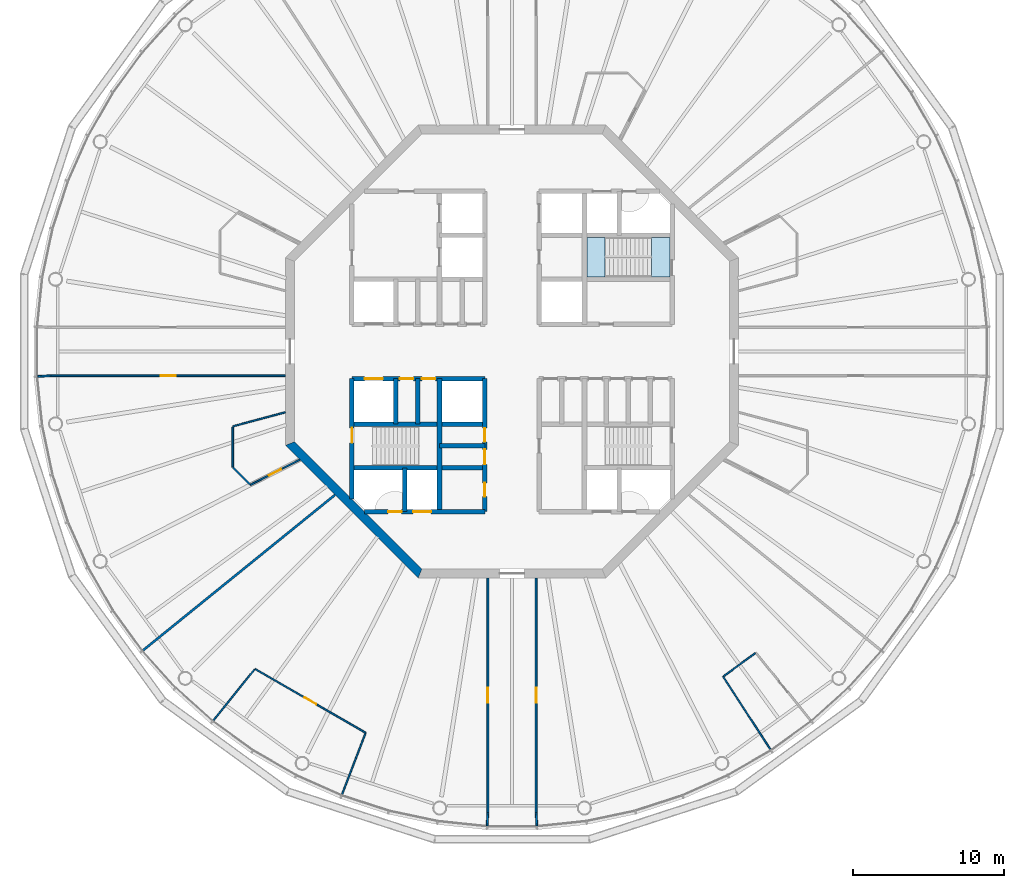
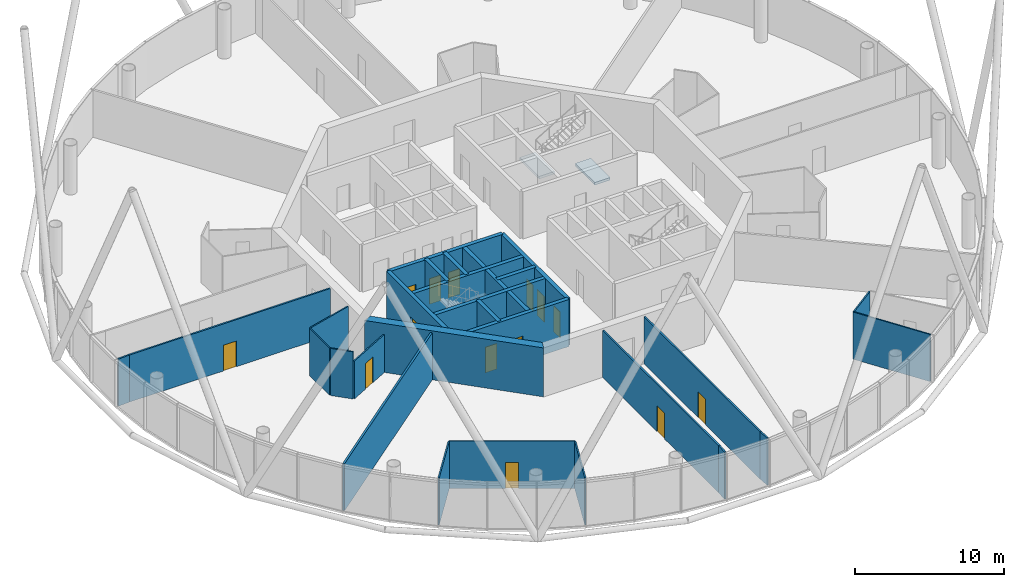
# One storey, part 3 of 13: 28 walls, 14 doors, 2 slabs, 14 openings, 1 element without a shape of its own.
"""IFC4 building model written with IfcOpenShell, lengths in metres."""

from ifc_helpers import new_model, si_unit, direction, frame, frame_2d, origin, place, context, subcontext, project, spatial, polyline, rectangle, outline, extrude, material, layer, layer_set, type_object, element, fill, aggregate, save


model = new_model("IFC4")

# Units and contexts
model_context = context("Model", 3, precision=1e-05, world=origin(), true_north=direction((0.0, 1.0)))
body_context = subcontext(model_context, "Body", "Model", "MODEL_VIEW")
ifc_project = project(units=[si_unit("LENGTHUNIT", "METRE"), si_unit("AREAUNIT", "SQUARE_METRE"), si_unit("VOLUMEUNIT", "CUBIC_METRE"), si_unit("PLANEANGLEUNIT", "RADIAN"), si_unit("MASSUNIT", "GRAM", prefix="KILO")], contexts=[model_context])

# Site, building, storey
site_placement = place(None, origin())
site = spatial("IfcSite", under=ifc_project, at=site_placement, CompositionType="ELEMENT")
building_placement = place(site_placement, origin())
building = spatial("IfcBuilding", under=site, at=building_placement, Name="Entoto Ring Tower", CompositionType="ELEMENT")
storey_placement = place(building_placement, frame((0.0, 0.0, 336.0)))
storey = spatial("IfcBuildingStorey", under=building, at=storey_placement, Name="L77", CompositionType="ELEMENT", Elevation=336.0)

# Stair, slabs
ifc_material_1 = material(Name="Concrete C40/50", Category="concrete")
stair_type = type_object("IfcStairType", Name="Exit stair 1200 mm dog-leg reinforced concrete", PredefinedType="HALF_TURN_STAIR", material=ifc_material_1)
stair_placement = place(storey_placement, origin())
stair = element("IfcStair", 1, at=stair_placement, inside=storey, type_object=stair_type, Name="Exit stair 1", PredefinedType="HALF_TURN_STAIR")
ifc_material_2 = material(Name="Concrete C40/50", Category="concrete")
ifc_layer_1 = layer(ifc_material_2, 0.199951171875)
ifc_layer_set_1 = layer_set([ifc_layer_1], Name="Concrete C40/50")
slab_type = type_object("IfcSlabType", Name="Stair landing 200 mm reinforced concrete", PredefinedType="LANDING", material=ifc_layer_set_1)
slab_1_placement = place(storey_placement, frame((0.0, 0.0, -0.199951171875)))
slab_1 = element("IfcSlab", 2, at=slab_1_placement, type_object=slab_type, Name="ST1 landing 1", PredefinedType="LANDING", context=body_context, shape_type="SweptSolid", body=[
    extrude(outline(polyline([(100.449951171875, 84.949951171875), (100.449951171875, 87.550048828125), (99.25, 87.550048828125), (99.25, 84.949951171875), (100.449951171875, 84.949951171875)])), origin(), (0.0, 0.0, 1.0), 0.199951171875),
])
slab_2_placement = place(storey_placement, frame((0.0, 0.0, 1.800048828125)))
slab_2 = element("IfcSlab", 3, at=slab_2_placement, type_object=slab_type, Name="ST1 landing 2", PredefinedType="LANDING", context=body_context, shape_type="SweptSolid", body=[
    extrude(outline(polyline([(94.949951171875, 84.949951171875), (96.169921875, 84.949951171875), (96.169921875, 87.550048828125), (94.949951171875, 87.550048828125), (94.949951171875, 84.949951171875)])), origin(), (0.0, 0.0, 1.0), 0.199951171875),
])
aggregate(stair, [slab_1, slab_2])

# Wall, openings, doors
ifc_material_3 = material(Name="Concrete C40/50", Category="concrete")
ifc_layer_2 = layer(ifc_material_3, 0.300048828125)
ifc_layer_set_2 = layer_set([ifc_layer_2], Name="Concrete C40/50")
wall_type_1 = type_object("IfcWallType", Name="Core enclosure wall 300 mm reinforced concrete", PredefinedType="SOLIDWALL", material=ifc_layer_set_2)
wall_1_placement = place(storey_placement, frame((88.199951171875, 69.39990234375, 0.0), z_axis=(0.0, 0.0, 1.0), x_axis=(0.0, 1.0, 0.0)))
wall_1 = element("IfcWall", 4, at=wall_1_placement, inside=storey, type_object=wall_type_1, Name="wall-L77-013", PredefinedType="SOLIDWALL", context=body_context, shape_type="SweptSolid", body=[
    extrude(rectangle(XDim=8.800048828125, YDim=0.300048828125, at=frame_2d((4.39990234375, 0.0))), origin(), (0.0, 0.0, 1.0), 3.85009765625),
])
opening_1_placement = place(wall_1_placement, frame((3.125, 0.0, 0.0)))
opening_1 = element("IfcOpeningElement", 5, at=opening_1_placement, cuts=wall_1, Name="Opening K-70", PredefinedType="OPENING", context=body_context, shape_type="SweptSolid", body=[
    extrude(rectangle(XDim=1.0, YDim=2.10009765625, at=frame_2d((0.5, 1.050048828125))), frame((0.0, 0.16015625, 0.0), z_axis=(0.0, -1.0, 0.0), x_axis=(1.0, 0.0, 0.0)), (0.0, 0.0, 1.0), 0.320068359375),
])
opening_2_placement = place(wall_1_placement, frame((4.625, 0.0, 0.0)))
opening_2 = element("IfcOpeningElement", 6, at=opening_2_placement, cuts=wall_1, Name="Opening K-71", PredefinedType="OPENING", context=body_context, shape_type="SweptSolid", body=[
    extrude(rectangle(XDim=0.89990234375, YDim=2.10009765625, at=frame_2d((0.449951171875, 1.050048828125))), frame((0.0, 0.16015625, 0.0), z_axis=(0.0, -1.0, 0.0), x_axis=(1.0, 0.0, 0.0)), (0.0, 0.0, 1.0), 0.320068359375),
])
opening_3_placement = place(wall_1_placement, frame((1.0, 0.0, 0.0)))
opening_3 = element("IfcOpeningElement", 7, at=opening_3_placement, cuts=wall_1, Name="Opening K-24", PredefinedType="OPENING", context=body_context, shape_type="SweptSolid", body=[
    extrude(rectangle(XDim=0.89990234375, YDim=2.10009765625, at=frame_2d((0.449951171875, 1.050048828125))), frame((0.0, 0.16015625, 0.0), z_axis=(0.0, -1.0, 0.0), x_axis=(1.0, 0.0, 0.0)), (0.0, 0.0, 1.0), 0.320068359375),
])
ifc_material_4 = material(Name="Steel door leaf, fire rated", Category="steel")
ifc_layer_3 = layer(ifc_material_4, 0.050048828125)
ifc_layer_set_3 = layer_set([ifc_layer_3], Name="Steel door leaf, fire rated")
door_type_1 = type_object("IfcDoorType", Name="Accessible door 1000 x 2100 single leaf", OperationType="NOTDEFINED", PredefinedType="DOOR", material=ifc_layer_set_3)
door_1_placement = place(opening_1_placement, origin())
door_1 = element("IfcDoor", 8, at=door_1_placement, inside=storey, type_object=door_type_1, Name="Door K-70", OperationType="SINGLE_SWING_RIGHT", OverallHeight=2.10009765625, OverallWidth=1.0, PredefinedType="DOOR", context=body_context, shape_type="SweptSolid", body=[
    extrude(rectangle(XDim=1.0, YDim=2.10009765625, at=frame_2d((0.5, 1.050048828125))), frame((0.0, 0.02490234375, 0.0), z_axis=(0.0, -1.0, 0.0), x_axis=(1.0, 0.0, 0.0)), (0.0, 0.0, 1.0), 0.050048828125),
])
fill(opening_1, door_1)
ifc_material_5 = material(Name="Steel door leaf, fire rated", Category="steel")
ifc_layer_4 = layer(ifc_material_5, 0.050048828125)
ifc_layer_set_4 = layer_set([ifc_layer_4], Name="Steel door leaf, fire rated")
door_type_2 = type_object("IfcDoorType", Name="Core door 900 x 2100 single leaf", OperationType="NOTDEFINED", PredefinedType="DOOR", material=ifc_layer_set_4)
door_2_placement = place(opening_2_placement, origin())
door_2 = element("IfcDoor", 9, at=door_2_placement, inside=storey, type_object=door_type_2, Name="Door K-71", OperationType="SINGLE_SWING_RIGHT", OverallHeight=2.10009765625, OverallWidth=0.89990234375, PredefinedType="DOOR", context=body_context, shape_type="SweptSolid", body=[
    extrude(rectangle(XDim=0.89990234375, YDim=2.10009765625, at=frame_2d((0.449951171875, 1.050048828125))), frame((0.0, 0.02490234375, 0.0), z_axis=(0.0, -1.0, 0.0), x_axis=(1.0, 0.0, 0.0)), (0.0, 0.0, 1.0), 0.050048828125),
])
fill(opening_2, door_2)
door_3_placement = place(opening_3_placement, origin())
door_3 = element("IfcDoor", 10, at=door_3_placement, inside=storey, type_object=door_type_2, Name="Door K-24", OperationType="SINGLE_SWING_RIGHT", OverallHeight=2.10009765625, OverallWidth=0.89990234375, PredefinedType="DOOR", context=body_context, shape_type="SweptSolid", body=[
    extrude(rectangle(XDim=0.89990234375, YDim=2.10009765625, at=frame_2d((0.449951171875, 1.050048828125))), frame((0.0, 0.02490234375, 0.0), z_axis=(0.0, -1.0, 0.0), x_axis=(1.0, 0.0, 0.0)), (0.0, 0.0, 1.0), 0.050048828125),
])
fill(opening_3, door_3)

# Walls
wall_2_placement = place(storey_placement, frame((85.199951171875, 69.39990234375, 0.0), z_axis=(0.0, 0.0, 1.0), x_axis=(0.0, 1.0, 0.0)))
element("IfcWall", 11, at=wall_2_placement, inside=storey, type_object=wall_type_1, Name="wall-L77-016", PredefinedType="SOLIDWALL", context=body_context, shape_type="SweptSolid", body=[
    extrude(rectangle(XDim=8.800048828125, YDim=0.300048828125, at=frame_2d((4.39990234375, 0.0))), origin(), (0.0, 0.0, 1.0), 3.85009765625),
])
wall_3_placement = place(storey_placement, frame((83.75, 75.199951171875, 0.0), z_axis=(0.0, 0.0, 1.0), x_axis=(0.0, 1.0, 0.0)))
element("IfcWall", 12, at=wall_3_placement, inside=storey, type_object=wall_type_1, Name="wall-L77-018", PredefinedType="SOLIDWALL", context=body_context, shape_type="SweptSolid", body=[
    extrude(rectangle(XDim=3.0, YDim=0.300048828125, at=frame_2d((1.5, 0.0))), origin(), (0.0, 0.0, 1.0), 3.85009765625),
])
wall_4_placement = place(storey_placement, frame((82.89990234375, 69.39990234375, 0.0), z_axis=(0.0, 0.0, 1.0), x_axis=(0.0, 1.0, 0.0)))
element("IfcWall", 13, at=wall_4_placement, inside=storey, type_object=wall_type_1, Name="wall-L77-020", PredefinedType="SOLIDWALL", context=body_context, shape_type="SweptSolid", body=[
    extrude(rectangle(XDim=2.900146484375, YDim=0.300048828125, at=frame_2d((1.4501953125, 0.0))), origin(), (0.0, 0.0, 1.0), 3.85009765625),
])
wall_5_placement = place(storey_placement, frame((82.300048828125, 75.199951171875, 0.0), z_axis=(0.0, 0.0, 1.0), x_axis=(0.0, 1.0, 0.0)))
element("IfcWall", 14, at=wall_5_placement, inside=storey, type_object=wall_type_1, Name="wall-L77-021", PredefinedType="SOLIDWALL", context=body_context, shape_type="SweptSolid", body=[
    extrude(rectangle(XDim=3.0, YDim=0.300048828125, at=frame_2d((1.5, 0.0))), origin(), (0.0, 0.0, 1.0), 3.85009765625),
])

# Wall, opening, door
wall_6_placement = place(storey_placement, frame((79.39990234375, 70.2353515625, 0.0), z_axis=(0.0, 0.0, 1.0), x_axis=(0.0, 1.0, 0.0)))
wall_6 = element("IfcWall", 15, at=wall_6_placement, inside=storey, type_object=wall_type_1, Name="wall-L77-023", PredefinedType="SOLIDWALL", context=body_context, shape_type="SweptSolid", body=[
    extrude(rectangle(XDim=7.964599609375, YDim=0.300048828125, at=frame_2d((3.982421875, 0.0))), origin(), (0.0, 0.0, 1.0), 3.85009765625),
])
opening_4_placement = place(wall_6_placement, frame((3.714599609375, 0.0, 0.0)))
opening_4 = element("IfcOpeningElement", 16, at=opening_4_placement, cuts=wall_6, Name="Opening K-30", PredefinedType="OPENING", context=body_context, shape_type="SweptSolid", body=[
    extrude(rectangle(XDim=1.0, YDim=2.10009765625, at=frame_2d((0.5, 1.050048828125))), frame((0.0, 0.16015625, 0.0), z_axis=(0.0, -1.0, 0.0), x_axis=(1.0, 0.0, 0.0)), (0.0, 0.0, 1.0), 0.320068359375),
])
ifc_material_6 = material(Name="Steel door leaf, fire rated", Category="steel")
ifc_layer_5 = layer(ifc_material_6, 0.050048828125)
ifc_layer_set_5 = layer_set([ifc_layer_5], Name="Steel door leaf, fire rated")
door_type_3 = type_object("IfcDoorType", Name="Fire door FD60 1000 x 2100 single leaf", OperationType="NOTDEFINED", PredefinedType="DOOR", material=ifc_layer_set_5)
door_4_placement = place(opening_4_placement, frame((1.0, 0.0, 0.0), z_axis=(0.0, 0.0, 1.0), x_axis=(-1.0, 0.0, 0.0)))
door_4 = element("IfcDoor", 17, at=door_4_placement, inside=storey, type_object=door_type_3, Name="Door K-30", OperationType="SINGLE_SWING_LEFT", OverallHeight=2.10009765625, OverallWidth=1.0, PredefinedType="DOOR", context=body_context, shape_type="SweptSolid", body=[
    extrude(rectangle(XDim=1.0, YDim=2.10009765625, at=frame_2d((0.5, 1.050048828125))), frame((0.0, 0.02490234375, 0.0), z_axis=(0.0, -1.0, 0.0), x_axis=(1.0, 0.0, 0.0)), (0.0, 0.0, 1.0), 0.050048828125),
])
fill(opening_4, door_4)

# Wall, openings, doors
wall_7_placement = place(storey_placement, frame((80.2353515625, 69.39990234375, 0.0), z_axis=(0.0, 0.0, 1.0), x_axis=(1.0, 0.0, 0.0)))
wall_7 = element("IfcWall", 18, at=wall_7_placement, inside=storey, type_object=wall_type_1, Name="wall-L77-025", PredefinedType="SOLIDWALL", context=body_context, shape_type="SweptSolid", body=[
    extrude(rectangle(XDim=7.964599609375, YDim=0.300048828125, at=frame_2d((3.982421875, 0.0))), origin(), (0.0, 0.0, 1.0), 3.85009765625),
])
opening_5_placement = place(wall_7_placement, frame((3.214599609375, 0.0, 0.0)))
opening_5 = element("IfcOpeningElement", 19, at=opening_5_placement, cuts=wall_7, Name="Opening LD", PredefinedType="OPENING", context=body_context, shape_type="SweptSolid", body=[
    extrude(rectangle(XDim=1.199951171875, YDim=2.10009765625, at=frame_2d((0.60009765625, 1.050048828125))), frame((0.0, 0.16015625, 0.0), z_axis=(0.0, -1.0, 0.0), x_axis=(1.0, 0.0, 0.0)), (0.0, 0.0, 1.0), 0.320068359375),
])
opening_6_placement = place(wall_7_placement, frame((1.564697265625, 0.0, 0.0)))
opening_6 = element("IfcOpeningElement", 20, at=opening_6_placement, cuts=wall_7, Name="Opening K-33", PredefinedType="OPENING", context=body_context, shape_type="SweptSolid", body=[
    extrude(rectangle(XDim=0.89990234375, YDim=2.10009765625, at=frame_2d((0.449951171875, 1.050048828125))), frame((0.0, 0.16015625, 0.0), z_axis=(0.0, -1.0, 0.0), x_axis=(1.0, 0.0, 0.0)), (0.0, 0.0, 1.0), 0.320068359375),
])
ifc_material_7 = material(Name="Steel and glass door leaf", Category="steel")
ifc_layer_6 = layer(ifc_material_7, 0.050048828125)
ifc_layer_set_6 = layer_set([ifc_layer_6], Name="Steel and glass door leaf")
door_type_4 = type_object("IfcDoorType", Name="Landing door 1200 x 2100 sliding", OperationType="DOUBLE_DOOR_SLIDING", PredefinedType="DOOR", material=ifc_layer_set_6)
door_5_placement = place(opening_5_placement, origin())
door_5 = element("IfcDoor", 21, at=door_5_placement, inside=storey, type_object=door_type_4, Name="Landing door LB3-HR", OperationType="SLIDING_TO_RIGHT", OverallHeight=2.10009765625, OverallWidth=1.199951171875, PredefinedType="DOOR", context=body_context, shape_type="SweptSolid", body=[
    extrude(rectangle(XDim=1.199951171875, YDim=2.10009765625, at=frame_2d((0.60009765625, 1.050048828125))), frame((0.0, 0.02490234375, 0.0), z_axis=(0.0, -1.0, 0.0), x_axis=(1.0, 0.0, 0.0)), (0.0, 0.0, 1.0), 0.050048828125),
])
fill(opening_5, door_5)
ifc_material_8 = material(Name="Steel door leaf, fire rated", Category="steel")
ifc_layer_7 = layer(ifc_material_8, 0.050048828125)
ifc_layer_set_7 = layer_set([ifc_layer_7], Name="Steel door leaf, fire rated")
door_type_5 = type_object("IfcDoorType", Name="Riser door FD60 900 x 2100 single leaf", OperationType="NOTDEFINED", PredefinedType="DOOR", material=ifc_layer_set_7)
door_6_placement = place(opening_6_placement, origin())
door_6 = element("IfcDoor", 22, at=door_6_placement, inside=storey, type_object=door_type_5, Name="Door K-33", OperationType="SINGLE_SWING_RIGHT", OverallHeight=2.10009765625, OverallWidth=0.89990234375, PredefinedType="DOOR", context=body_context, shape_type="SweptSolid", body=[
    extrude(rectangle(XDim=0.89990234375, YDim=2.10009765625, at=frame_2d((0.449951171875, 1.050048828125))), frame((0.0, 0.02490234375, 0.0), z_axis=(0.0, -1.0, 0.0), x_axis=(1.0, 0.0, 0.0)), (0.0, 0.0, 1.0), 0.050048828125),
])
fill(opening_6, door_6)

# Walls
wall_8_placement = place(storey_placement, frame((79.39990234375, 72.300048828125, 0.0), z_axis=(0.0, 0.0, 1.0), x_axis=(1.0, 0.0, 0.0)))
element("IfcWall", 23, at=wall_8_placement, inside=storey, type_object=wall_type_1, Name="wall-L77-027", PredefinedType="SOLIDWALL", context=body_context, shape_type="SweptSolid", body=[
    extrude(rectangle(XDim=8.800048828125, YDim=0.300048828125, at=frame_2d((4.39990234375, 0.0))), origin(), (0.0, 0.0, 1.0), 3.85009765625),
])
wall_9_placement = place(storey_placement, frame((85.199951171875, 73.75, 0.0), z_axis=(0.0, 0.0, 1.0), x_axis=(1.0, 0.0, 0.0)))
element("IfcWall", 24, at=wall_9_placement, inside=storey, type_object=wall_type_1, Name="wall-L77-029", PredefinedType="SOLIDWALL", context=body_context, shape_type="SweptSolid", body=[
    extrude(rectangle(XDim=3.0, YDim=0.300048828125, at=frame_2d((1.5, 0.0))), origin(), (0.0, 0.0, 1.0), 3.85009765625),
])
wall_10_placement = place(storey_placement, frame((79.39990234375, 75.199951171875, 0.0), z_axis=(0.0, 0.0, 1.0), x_axis=(1.0, 0.0, 0.0)))
element("IfcWall", 25, at=wall_10_placement, inside=storey, type_object=wall_type_1, Name="wall-L77-030", PredefinedType="SOLIDWALL", context=body_context, shape_type="SweptSolid", body=[
    extrude(rectangle(XDim=8.800048828125, YDim=0.300048828125, at=frame_2d((4.39990234375, 0.0))), origin(), (0.0, 0.0, 1.0), 3.85009765625),
])

# Wall, openings, doors
wall_11_placement = place(storey_placement, frame((79.39990234375, 78.199951171875, 0.0), z_axis=(0.0, 0.0, 1.0), x_axis=(1.0, 0.0, 0.0)))
wall_11 = element("IfcWall", 26, at=wall_11_placement, inside=storey, type_object=wall_type_1, Name="wall-L77-032", PredefinedType="SOLIDWALL", context=body_context, shape_type="SweptSolid", body=[
    extrude(rectangle(XDim=8.800048828125, YDim=0.300048828125, at=frame_2d((4.39990234375, 0.0))), origin(), (0.0, 0.0, 1.0), 3.85009765625),
])
opening_7_placement = place(wall_11_placement, frame((0.85009765625, 0.0, 0.0)))
opening_7 = element("IfcOpeningElement", 27, at=opening_7_placement, cuts=wall_11, Name="Opening LD", PredefinedType="OPENING", context=body_context, shape_type="SweptSolid", body=[
    extrude(rectangle(XDim=1.199951171875, YDim=2.10009765625, at=frame_2d((0.60009765625, 1.050048828125))), frame((0.0, 0.16015625, 0.0), z_axis=(0.0, -1.0, 0.0), x_axis=(1.0, 0.0, 0.0)), (0.0, 0.0, 1.0), 0.320068359375),
])
opening_8_placement = place(wall_11_placement, frame((3.175048828125, 0.0, 0.0)))
opening_8 = element("IfcOpeningElement", 28, at=opening_8_placement, cuts=wall_11, Name="Opening K-18", PredefinedType="OPENING", context=body_context, shape_type="SweptSolid", body=[
    extrude(rectangle(XDim=0.89990234375, YDim=2.10009765625, at=frame_2d((0.449951171875, 1.050048828125))), frame((0.0, 0.16015625, 0.0), z_axis=(0.0, -1.0, 0.0), x_axis=(1.0, 0.0, 0.0)), (0.0, 0.0, 1.0), 0.320068359375),
])
opening_9_placement = place(wall_11_placement, frame((4.625, 0.0, 0.0)))
opening_9 = element("IfcOpeningElement", 29, at=opening_9_placement, cuts=wall_11, Name="Opening K-19", PredefinedType="OPENING", context=body_context, shape_type="SweptSolid", body=[
    extrude(rectangle(XDim=0.89990234375, YDim=2.10009765625, at=frame_2d((0.449951171875, 1.050048828125))), frame((0.0, 0.16015625, 0.0), z_axis=(0.0, -1.0, 0.0), x_axis=(1.0, 0.0, 0.0)), (0.0, 0.0, 1.0), 0.320068359375),
])
door_7_placement = place(opening_8_placement, frame((0.89990234375, 0.0, 0.0), z_axis=(0.0, 0.0, 1.0), x_axis=(-1.0, 0.0, 0.0)))
door_7 = element("IfcDoor", 30, at=door_7_placement, inside=storey, type_object=door_type_2, Name="Door K-18", OperationType="SINGLE_SWING_LEFT", OverallHeight=2.10009765625, OverallWidth=0.89990234375, PredefinedType="DOOR", context=body_context, shape_type="SweptSolid", body=[
    extrude(rectangle(XDim=0.89990234375, YDim=2.10009765625, at=frame_2d((0.449951171875, 1.050048828125))), frame((0.0, 0.02490234375, 0.0), z_axis=(0.0, -1.0, 0.0), x_axis=(1.0, 0.0, 0.0)), (0.0, 0.0, 1.0), 0.050048828125),
])
fill(opening_8, door_7)
door_8_placement = place(opening_9_placement, frame((0.89990234375, 0.0, 0.0), z_axis=(0.0, 0.0, 1.0), x_axis=(-1.0, 0.0, 0.0)))
door_8 = element("IfcDoor", 31, at=door_8_placement, inside=storey, type_object=door_type_2, Name="Door K-19", OperationType="SINGLE_SWING_LEFT", OverallHeight=2.10009765625, OverallWidth=0.89990234375, PredefinedType="DOOR", context=body_context, shape_type="SweptSolid", body=[
    extrude(rectangle(XDim=0.89990234375, YDim=2.10009765625, at=frame_2d((0.449951171875, 1.050048828125))), frame((0.0, 0.02490234375, 0.0), z_axis=(0.0, -1.0, 0.0), x_axis=(1.0, 0.0, 0.0)), (0.0, 0.0, 1.0), 0.050048828125),
])
fill(opening_9, door_8)
door_9_placement = place(opening_7_placement, origin())
door_9 = element("IfcDoor", 32, at=door_9_placement, inside=storey, type_object=door_type_4, Name="Landing door SH2", OperationType="SLIDING_TO_RIGHT", OverallHeight=2.10009765625, OverallWidth=1.199951171875, PredefinedType="DOOR", context=body_context, shape_type="SweptSolid", body=[
    extrude(rectangle(XDim=1.199951171875, YDim=2.10009765625, at=frame_2d((0.60009765625, 1.050048828125))), frame((0.0, 0.02490234375, 0.0), z_axis=(0.0, -1.0, 0.0), x_axis=(1.0, 0.0, 0.0)), (0.0, 0.0, 1.0), 0.050048828125),
])
fill(opening_7, door_9)

# Wall
ifc_material_9 = material(Name="Concrete C40/50", Category="concrete")
ifc_layer_8 = layer(ifc_material_9, 0.60009765625)
ifc_layer_set_8 = layer_set([ifc_layer_8], Name="Concrete C40/50")
wall_type_2 = type_object("IfcWallType", Name="Core shear wall 600 mm reinforced concrete C40/50", PredefinedType="SHEAR", material=ifc_layer_set_8)
wall_12_placement = place(storey_placement, frame((75.300048828125, 73.9111328125, 0.0), z_axis=(0.0, 0.0, 1.0), x_axis=(0.707106781187, -0.707106781187, 0.0)))
element("IfcWall", 33, at=wall_12_placement, inside=storey, type_object=wall_type_2, Name="wall-L77-core-5", PredefinedType="SHEAR", context=body_context, shape_type="SweptSolid", body=[
    extrude(outline(polyline([(-0.124267578125, -0.300048828125), (12.30224609375, -0.300048828125), (12.0537109375, 0.300048828125), (0.124267578125, 0.300048828125), (-0.124267578125, -0.300048828125)])), origin(), (0.0, 0.0, 1.0), 4.0),
])

# Wall, opening, door
ifc_material_10 = material(Name="Fire-resisting plasterboard on steel studs", Category="steel")
ifc_layer_9 = layer(ifc_material_10, 0.125)
ifc_layer_set_9 = layer_set([ifc_layer_9], Name="Fire-resisting plasterboard on steel studs")
wall_type_3 = type_object("IfcWallType", Name="Corridor wall 125 mm one-hour plasterboard on steel studs", PredefinedType="PARTITIONING", material=ifc_layer_set_9)
wall_13_placement = place(storey_placement, frame((59.47021484375, 78.39990234375, 0.0), z_axis=(0.0, 0.0, 1.0), x_axis=(1.0, 0.0, 0.0)))
wall_13 = element("IfcWall", 34, at=wall_13_placement, inside=storey, type_object=wall_type_3, Name="partition-L77-001", PredefinedType="PARTITIONING", context=body_context, shape_type="SweptSolid", body=[
    extrude(rectangle(XDim=15.52978515625, YDim=0.125, at=frame_2d((7.764892578125, 0.0))), origin(), (0.0, 0.0, 1.0), 3.85009765625),
])
opening_10_placement = place(wall_13_placement, frame((7.264892578125, 0.0, 0.0)))
opening_10 = element("IfcOpeningElement", 35, at=opening_10_placement, cuts=wall_13, Name="Opening A34-D08", PredefinedType="OPENING", context=body_context, shape_type="SweptSolid", body=[
    extrude(rectangle(XDim=1.0, YDim=2.10009765625, at=frame_2d((0.5, 1.050048828125))), frame((0.0, 0.072509765625, 0.0), z_axis=(0.0, -1.0, 0.0), x_axis=(1.0, 0.0, 0.0)), (0.0, 0.0, 1.0), 0.14501953125),
])
ifc_material_11 = material(Name="Fire-resisting timber door set", Category="wood")
door_type_6 = type_object("IfcDoorType", Name="Door 1000 x 2100 single leaf FD30S fire door", OperationType="NOTDEFINED", PredefinedType="DOOR", material=ifc_material_11)
door_10_placement = place(opening_10_placement, frame((1.0, 0.0, 0.0), z_axis=(0.0, 0.0, 1.0), x_axis=(-1.0, 0.0, 0.0)))
door_10 = element("IfcDoor", 36, at=door_10_placement, inside=storey, type_object=door_type_6, Name="Door A34-D08", OperationType="SINGLE_SWING_LEFT", OverallHeight=2.10009765625, OverallWidth=1.0, PredefinedType="DOOR", context=body_context, shape_type="SweptSolid", body=[
    extrude(rectangle(XDim=1.0, YDim=2.10009765625, at=frame_2d((0.5, 1.050048828125))), frame((0.0, 0.02490234375, 0.0), z_axis=(0.0, -1.0, 0.0), x_axis=(1.0, 0.0, 0.0)), (0.0, 0.0, 1.0), 0.050048828125),
])
fill(opening_10, door_10)

wall_14_placement = place(storey_placement, frame((88.39990234375, 49.47021484375, 0.0), z_axis=(0.0, 0.0, 1.0), x_axis=(0.0, 1.0, 0.0)))
wall_14 = element("IfcWall", 37, at=wall_14_placement, inside=storey, type_object=wall_type_3, Name="partition-L77-003", PredefinedType="PARTITIONING", context=body_context, shape_type="SweptSolid", body=[
    extrude(rectangle(XDim=15.52978515625, YDim=0.125, at=frame_2d((7.764892578125, 0.0))), origin(), (0.0, 0.0, 1.0), 3.85009765625),
])
opening_11_placement = place(wall_14_placement, frame((7.264892578125, 0.0, 0.0)))
opening_11 = element("IfcOpeningElement", 38, at=opening_11_placement, cuts=wall_14, Name="Opening A34-D10", PredefinedType="OPENING", context=body_context, shape_type="SweptSolid", body=[
    extrude(rectangle(XDim=1.0, YDim=2.10009765625, at=frame_2d((0.5, 1.050048828125))), frame((0.0, 0.072509765625, 0.0), z_axis=(0.0, -1.0, 0.0), x_axis=(1.0, 0.0, 0.0)), (0.0, 0.0, 1.0), 0.14501953125),
])
door_11_placement = place(opening_11_placement, origin())
door_11 = element("IfcDoor", 39, at=door_11_placement, inside=storey, type_object=door_type_6, Name="Door A34-D10", OperationType="SINGLE_SWING_RIGHT", OverallHeight=2.10009765625, OverallWidth=1.0, PredefinedType="DOOR", context=body_context, shape_type="SweptSolid", body=[
    extrude(rectangle(XDim=1.0, YDim=2.10009765625, at=frame_2d((0.5, 1.050048828125))), frame((0.0, 0.02490234375, 0.0), z_axis=(0.0, -1.0, 0.0), x_axis=(1.0, 0.0, 0.0)), (0.0, 0.0, 1.0), 0.050048828125),
])
fill(opening_11, door_11)

wall_15_placement = place(storey_placement, frame((91.60009765625, 49.47021484375, 0.0), z_axis=(0.0, 0.0, 1.0), x_axis=(0.0, 1.0, 0.0)))
wall_15 = element("IfcWall", 40, at=wall_15_placement, inside=storey, type_object=wall_type_3, Name="partition-L77-005", PredefinedType="PARTITIONING", context=body_context, shape_type="SweptSolid", body=[
    extrude(rectangle(XDim=15.52978515625, YDim=0.125, at=frame_2d((7.764892578125, 0.0))), origin(), (0.0, 0.0, 1.0), 3.85009765625),
])
opening_12_placement = place(wall_15_placement, frame((7.264892578125, 0.0, 0.0)))
opening_12 = element("IfcOpeningElement", 41, at=opening_12_placement, cuts=wall_15, Name="Opening A34-D12", PredefinedType="OPENING", context=body_context, shape_type="SweptSolid", body=[
    extrude(rectangle(XDim=1.0, YDim=2.10009765625, at=frame_2d((0.5, 1.050048828125))), frame((0.0, 0.072509765625, 0.0), z_axis=(0.0, -1.0, 0.0), x_axis=(1.0, 0.0, 0.0)), (0.0, 0.0, 1.0), 0.14501953125),
])
door_12_placement = place(opening_12_placement, frame((1.0, 0.0, 0.0), z_axis=(0.0, 0.0, 1.0), x_axis=(-1.0, 0.0, 0.0)))
door_12 = element("IfcDoor", 42, at=door_12_placement, inside=storey, type_object=door_type_6, Name="Door A34-D12", OperationType="SINGLE_SWING_LEFT", OverallHeight=2.10009765625, OverallWidth=1.0, PredefinedType="DOOR", context=body_context, shape_type="SweptSolid", body=[
    extrude(rectangle(XDim=1.0, YDim=2.10009765625, at=frame_2d((0.5, 1.050048828125))), frame((0.0, 0.02490234375, 0.0), z_axis=(0.0, -1.0, 0.0), x_axis=(1.0, 0.0, 0.0)), (0.0, 0.0, 1.0), 0.050048828125),
])
fill(opening_12, door_12)

# Walls
for number, where, z_axis, x_axis, name in (
    (43, (58.60302734375, 78.3544921875, 0.0), (0.0, 0.0, 1.0), (0.998620946423, 0.052499574911, 0.0), "partition-L77-009"),
    (44, (88.3544921875, 48.60302734375, 0.0), (0.0, 0.0, 1.0), (0.052499574911, 0.998620946423, 0.0), "partition-L77-011"),
    (45, (91.6455078125, 48.60302734375, 0.0), (0.0, 0.0, 1.0), (-0.052499574911, 0.998620946423, 0.0), "partition-L77-014"),
):
    element("IfcWall", number, at=place(storey_placement, frame(where, z_axis=z_axis, x_axis=x_axis)), inside=storey, type_object=wall_type_3, Name=name, PredefinedType="PARTITIONING", context=body_context, shape_type="SweptSolid", body=[
        extrude(rectangle(XDim=0.864990234375, YDim=0.125, at=frame_2d((0.4326171875, 0.0))), origin(), (0.0, 0.0, 1.0), 3.85009765625),
    ])

# Wall, opening, door
ifc_material_12 = material(Name="Plasterboard on steel studs", Category="steel")
ifc_layer_10 = layer(ifc_material_12, 0.10009765625)
ifc_layer_set_10 = layer_set([ifc_layer_10], Name="Plasterboard on steel studs")
wall_type_4 = type_object("IfcWallType", Name="Partition 100 mm plasterboard on steel studs", PredefinedType="PARTITIONING", material=ifc_layer_set_10)
wall_16_placement = place(storey_placement, frame((80.309814453125, 54.756103515625, 0.0), z_axis=(0.0, 0.0, 1.0), x_axis=(-0.866028922334, 0.499993905644, 0.0)))
wall_16 = element("IfcWall", 46, at=wall_16_placement, inside=storey, type_object=wall_type_4, Name="partition-L77-021", PredefinedType="PARTITIONING", context=body_context, shape_type="SweptSolid", body=[
    extrude(rectangle(XDim=8.4599609375, YDim=0.10009765625, at=frame_2d((4.22998046875, 0.0))), origin(), (0.0, 0.0, 1.0), 3.85009765625),
])
opening_13_placement = place(wall_16_placement, frame((3.780029296875, 0.0, 0.0)))
opening_13 = element("IfcOpeningElement", 47, at=opening_13_placement, cuts=wall_16, Name="Opening A34-D11", PredefinedType="OPENING", context=body_context, shape_type="SweptSolid", body=[
    extrude(rectangle(XDim=0.89990234375, YDim=2.10009765625, at=frame_2d((0.449951171875, 1.050048828125))), frame((0.0, 0.06005859375, 0.0), z_axis=(0.0, -1.0, 0.0), x_axis=(1.0, 0.0, 0.0)), (0.0, 0.0, 1.0), 0.1201171875),
])
ifc_material_13 = material(Name="Veneered timber door leaf in timber frame", Category="wood")
door_type_7 = type_object("IfcDoorType", Name="Door 900 x 2100 single leaf timber veneer", OperationType="NOTDEFINED", PredefinedType="DOOR", material=ifc_material_13)
door_13_placement = place(opening_13_placement, origin())
door_13 = element("IfcDoor", 48, at=door_13_placement, inside=storey, type_object=door_type_7, Name="Door A34-D11", OperationType="SINGLE_SWING_RIGHT", OverallHeight=2.10009765625, OverallWidth=0.89990234375, PredefinedType="DOOR", context=body_context, shape_type="SweptSolid", body=[
    extrude(rectangle(XDim=0.89990234375, YDim=2.10009765625, at=frame_2d((0.449951171875, 1.050048828125))), frame((0.0, 0.02490234375, 0.0), z_axis=(0.0, -1.0, 0.0), x_axis=(1.0, 0.0, 0.0)), (0.0, 0.0, 1.0), 0.050048828125),
])
fill(opening_13, door_13)

# Walls
wall_17_placement = place(storey_placement, frame((107.12353515625, 53.632080078125, 0.0), z_axis=(0.0, 0.0, 1.0), x_axis=(-0.544649814042, 0.838663567865, 0.0)))
element("IfcWall", 49, at=wall_17_placement, inside=storey, type_object=wall_type_4, Name="partition-L77-023", PredefinedType="PARTITIONING", context=body_context, shape_type="SweptSolid", body=[
    extrude(rectangle(XDim=5.7802734375, YDim=0.10009765625, at=frame_2d((2.89013671875, 0.0))), origin(), (0.0, 0.0, 1.0), 3.85009765625),
])
for number, where, z_axis, x_axis, name in (
    (50, (78.73291015625, 50.648193359375, 0.0), (0.0, 0.0, 1.0), (0.358351029591, 0.933586921283, 0.0), "partition-L77-028"),
    (51, (70.214111328125, 55.56640625, 0.0), (0.0, 0.0, 1.0), (0.629303145866, 0.777159926014, 0.0), "partition-L77-029"),
):
    element("IfcWall", number, at=place(storey_placement, frame(where, z_axis=z_axis, x_axis=x_axis)), inside=storey, type_object=wall_type_4, Name=name, PredefinedType="PARTITIONING", context=body_context, shape_type="SweptSolid", body=[
        extrude(rectangle(XDim=4.350830078125, YDim=0.10009765625, at=frame_2d((2.17529296875, 0.0))), origin(), (0.0, 0.0, 1.0), 3.85009765625),
    ])
wall_18_placement = place(storey_placement, frame((71.510009765625, 75.045654296875, 0.0), z_axis=(0.0, 0.0, 1.0), x_axis=(0.965931463292, 0.258798006604, 0.0)))
element("IfcWall", 52, at=wall_18_placement, inside=storey, type_object=wall_type_4, Name="partition-L77-034", PredefinedType="PARTITIONING", context=body_context, shape_type="SweptSolid", body=[
    extrude(rectangle(XDim=3.613037109375, YDim=0.10009765625, at=frame_2d((1.806640625, 0.0))), origin(), (0.0, 0.0, 1.0), 3.85009765625),
])
wall_19_placement = place(storey_placement, frame((71.510009765625, 72.34130859375, 0.0), z_axis=(0.0, 0.0, 1.0), x_axis=(0.0, 1.0, 0.0)))
element("IfcWall", 53, at=wall_19_placement, inside=storey, type_object=wall_type_4, Name="partition-L77-039", PredefinedType="PARTITIONING", context=body_context, shape_type="SweptSolid", body=[
    extrude(rectangle(XDim=2.656005859375, YDim=0.10009765625, at=frame_2d((1.328125, 0.0))), origin(), (0.0, 0.0, 1.0), 3.85009765625),
])
wall_20_placement = place(storey_placement, frame((104.015869140625, 58.509033203125, 0.0), z_axis=(0.0, 0.0, 1.0), x_axis=(0.809005452733, 0.587801137672, 0.0)))
element("IfcWall", 54, at=wall_20_placement, inside=storey, type_object=wall_type_4, Name="partition-L77-041", PredefinedType="PARTITIONING", context=body_context, shape_type="SweptSolid", body=[
    extrude(rectangle(XDim=2.5859375, YDim=0.10009765625, at=frame_2d((1.29296875, 0.0))), origin(), (0.0, 0.0, 1.0), 3.85009765625),
])
wall_21_placement = place(storey_placement, frame((72.643798828125, 71.207275390625, 0.0), z_axis=(0.0, 0.0, 1.0), x_axis=(-0.707028944567, 0.707184609239, 0.0)))
element("IfcWall", 55, at=wall_21_placement, inside=storey, type_object=wall_type_4, Name="partition-L77-045", PredefinedType="PARTITIONING", context=body_context, shape_type="SweptSolid", body=[
    extrude(rectangle(XDim=1.568359375, YDim=0.10009765625, at=frame_2d((0.7841796875, 0.0))), origin(), (0.0, 0.0, 1.0), 3.85009765625),
])

# Wall, opening, door
ifc_material_14 = material(Name="Plasterboard on steel studs", Category="steel")
ifc_layer_11 = layer(ifc_material_14, 0.10009765625)
ifc_layer_set_11 = layer_set([ifc_layer_11], Name="Plasterboard on steel studs")
wall_type_5 = type_object("IfcWallType", Name="Partition 100 mm plasterboard on steel studs, 3097 mm high", PredefinedType="PARTITIONING", material=ifc_layer_set_11)
wall_22_placement = place(storey_placement, frame((72.677490234375, 71.173583984375, 0.0), z_axis=(0.0, 0.0, 1.0), x_axis=(0.89099481201, 0.454013485451, 0.0)))
wall_22 = element("IfcWall", 56, at=wall_22_placement, inside=storey, type_object=wall_type_5, Name="partition-L77-032", PredefinedType="PARTITIONING", context=body_context, shape_type="SweptSolid", body=[
    extrude(rectangle(XDim=3.66943359375, YDim=0.10009765625, at=frame_2d((1.834716796875, 0.0))), origin(), (0.0, 0.0, 1.0), 3.096923828125),
])
opening_14_placement = place(wall_22_placement, frame((1.384765625, 0.0, 0.0)))
opening_14 = element("IfcOpeningElement", 57, at=opening_14_placement, cuts=wall_22, Name="Opening A34-D09", PredefinedType="OPENING", context=body_context, shape_type="SweptSolid", body=[
    extrude(rectangle(XDim=0.89990234375, YDim=2.10009765625, at=frame_2d((0.449951171875, 1.050048828125))), frame((0.0, 0.06005859375, 0.0), z_axis=(0.0, -1.0, 0.0), x_axis=(1.0, 0.0, 0.0)), (0.0, 0.0, 1.0), 0.1201171875),
])
door_14_placement = place(opening_14_placement, origin())
door_14 = element("IfcDoor", 58, at=door_14_placement, inside=storey, type_object=door_type_7, Name="Door A34-D09", OperationType="SINGLE_SWING_RIGHT", OverallHeight=2.10009765625, OverallWidth=0.89990234375, PredefinedType="DOOR", context=body_context, shape_type="SweptSolid", body=[
    extrude(rectangle(XDim=0.89990234375, YDim=2.10009765625, at=frame_2d((0.449951171875, 1.050048828125))), frame((0.0, 0.02490234375, 0.0), z_axis=(0.0, -1.0, 0.0), x_axis=(1.0, 0.0, 0.0)), (0.0, 0.0, 1.0), 0.050048828125),
])
fill(opening_14, door_14)

# Wall
ifc_material_15 = material(Name="Fire-resisting acoustic plasterboard on steel studs", Category="steel")
ifc_layer_12 = layer(ifc_material_15, 0.14990234375)
ifc_layer_set_12 = layer_set([ifc_layer_12], Name="Fire-resisting acoustic plasterboard on steel studs")
wall_type_6 = type_object("IfcWallType", Name="Party wall 150 mm one-hour acoustic plasterboard on steel studs", PredefinedType="PARTITIONING", material=ifc_layer_set_12)
wall_23_placement = place(storey_placement, frame((65.56640625, 60.214111328125, 0.0), z_axis=(0.0, 0.0, 1.0), x_axis=(0.777143368827, 0.629323592667, 0.0)))
element("IfcWall", 59, at=wall_23_placement, inside=storey, type_object=wall_type_6, Name="partition-L77-017", PredefinedType="PARTITIONING", context=body_context, shape_type="SweptSolid", body=[
    extrude(rectangle(XDim=16.357666015625, YDim=0.14990234375, at=frame_2d((8.1787109375, 0.0))), origin(), (0.0, 0.0, 1.0), 3.85009765625),
])

save(model, "model.ifc")
